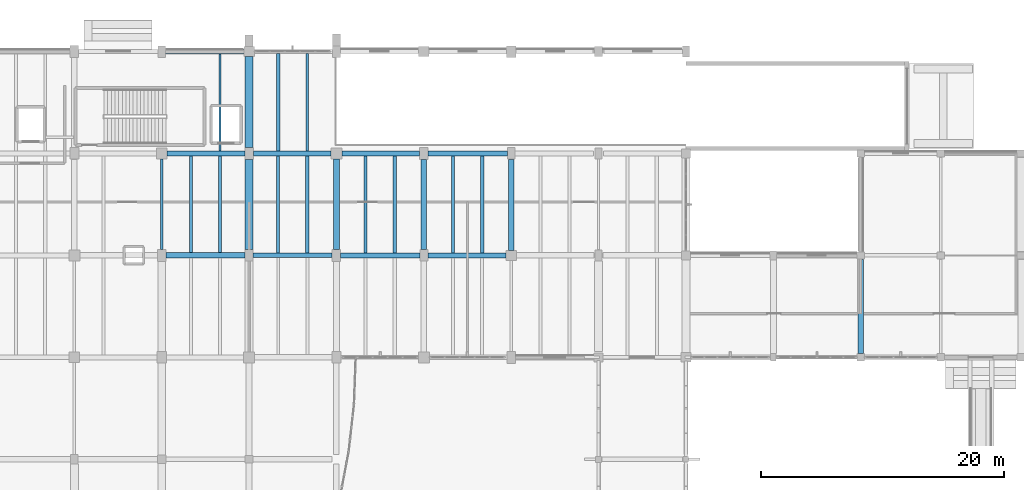
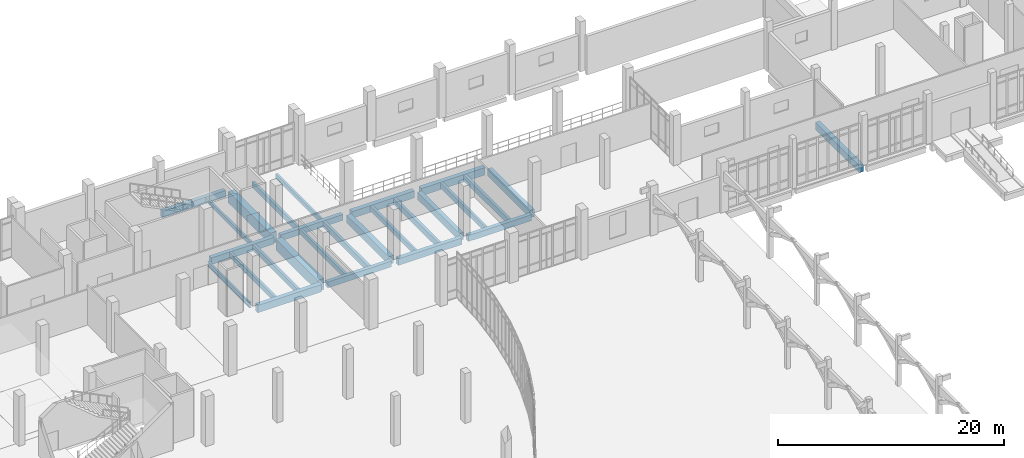
# One storey, part 55 of 110: 27 beams.
"""IFC4 building model written with IfcOpenShell, lengths in metres."""

from ifc_helpers import new_model, si_unit, direction, frame, origin, origin_2d, place, context, subcontext, project, spatial, rectangle, i_section, extrude, material, material_profile, profile_set, type_object, element, save


model = new_model("IFC4")

# Units and contexts
model_context = context("Model", 3, precision=1e-05, world=origin(), true_north=direction((0.0, 1.0)))
body_context = subcontext(model_context, "Body", "Model", "MODEL_VIEW")
ifc_project = project(units=[si_unit("LENGTHUNIT", "METRE"), si_unit("AREAUNIT", "SQUARE_METRE"), si_unit("VOLUMEUNIT", "CUBIC_METRE"), si_unit("PLANEANGLEUNIT", "RADIAN"), si_unit("MASSUNIT", "GRAM", prefix="KILO")], contexts=[model_context])

# Site, building, storey
site_placement = place(None, origin())
site = spatial("IfcSite", under=ifc_project, at=site_placement, CompositionType="ELEMENT")
building_placement = place(site_placement, origin())
building = spatial("IfcBuilding", under=site, at=building_placement, Name="Kalluvel Institute of Natural Sciences", CompositionType="ELEMENT")
storey_placement = place(building_placement, origin())
storey = spatial("IfcBuildingStorey", under=building, at=storey_placement, Name="L00", CompositionType="ELEMENT", Elevation=0.0)

# Beams
ifc_material_1 = material(Name="Steel E350 Grade 350", Category="steel")
ifc_material_profile_1 = material_profile(ifc_material_1, i_section(OverallWidth=0.18994140625, OverallDepth=0.550048828125, WebThickness=0.01123046875, FlangeThickness=0.019287109375, FilletRadius=0.01806640625, at=origin_2d()), Name="ISMB 550")
ifc_profile_set_1 = profile_set([ifc_material_profile_1], Name="Steel E350 Grade 350")
beam_type_1 = type_object("IfcBeamType", Name="BM-ISMB550", PredefinedType="BEAM", material=ifc_profile_set_1)
beam_1_placement = place(storey_placement, frame((71.60009765625, 111.699951171875, -0.594970703125), z_axis=(0.0, 1.0, 0.0), x_axis=(-1.0, 0.0, 0.0)))
element("IfcBeam", 1, at=beam_1_placement, inside=storey, type_object=beam_type_1, Name="L00 girder GIR-L00-NS-X716-Y1112", PredefinedType="BEAM", context=body_context, shape_type="SweptSolid", body=[
    extrude(i_section(OverallWidth=0.18994140625, OverallDepth=0.550048828125, WebThickness=0.01123046875, FlangeThickness=0.019287109375, FilletRadius=0.01806640625, at=origin_2d()), origin(), (0.0, 0.0, 1.0), 7.449951171875),
])
ifc_material_2 = material(Name="Concrete M40", Category="concrete")
ifc_material_profile_2 = material_profile(ifc_material_2, rectangle(XDim=0.3798828125, YDim=0.639892578125, at=origin_2d()), Name="RCB 380x640")
ifc_profile_set_2 = profile_set([ifc_material_profile_2], Name="Concrete M40")
beam_type_2 = type_object("IfcBeamType", Name="BM-RC380x640", PredefinedType="BEAM", material=ifc_profile_set_2)
beam_2_placement = place(storey_placement, frame((79.125, 111.199951171875, -0.639892578125), z_axis=(1.0, 0.0, 0.0), x_axis=(0.0, 1.0, 0.0)))
element("IfcBeam", 2, at=beam_2_placement, inside=storey, type_object=beam_type_2, Name="L00 girder GIR-L00-EW-X788-Y1112", PredefinedType="BEAM", context=body_context, shape_type="SweptSolid", body=[
    extrude(rectangle(XDim=0.3798828125, YDim=0.639892578125, at=origin_2d()), origin(), (0.0, 0.0, 1.0), 6.52490234375),
])
ifc_material_profile_3 = material_profile(ifc_material_2, rectangle(XDim=0.39990234375, YDim=0.64990234375, at=origin_2d()), Name="RCB 400x650")
ifc_profile_set_3 = profile_set([ifc_material_profile_3], Name="Concrete M40")
beam_type_3 = type_object("IfcBeamType", Name="BM-RC400x650", PredefinedType="BEAM", material=ifc_profile_set_3)
beam_3_placement = place(storey_placement, frame((93.52490234375, 111.199951171875, -0.64501953125), z_axis=(1.0, 0.0, 0.0), x_axis=(0.0, 1.0, 0.0)))
element("IfcBeam", 3, at=beam_3_placement, inside=storey, type_object=beam_type_3, Name="L00 girder GIR-L00-EW-X932-Y1112", PredefinedType="BEAM", context=body_context, shape_type="SweptSolid", body=[
    extrude(rectangle(XDim=0.39990234375, YDim=0.64990234375, at=origin_2d()), origin(), (0.0, 0.0, 1.0), 6.4501953125),
])
beam_4_placement = place(storey_placement, frame((79.14990234375, 119.60009765625, -0.64501953125), z_axis=(1.0, 0.0, 0.0), x_axis=(0.0, 1.0, 0.0)))
element("IfcBeam", 4, at=beam_4_placement, inside=storey, type_object=beam_type_3, Name="L00 girder GIR-L00-EW-X788-Y1196", PredefinedType="BEAM", context=body_context, shape_type="SweptSolid", body=[
    extrude(rectangle(XDim=0.39990234375, YDim=0.64990234375, at=origin_2d()), origin(), (0.0, 0.0, 1.0), 6.400146484375),
])
ifc_material_profile_4 = material_profile(ifc_material_2, rectangle(XDim=0.419921875, YDim=0.719970703125, at=origin_2d()), Name="RCB 420x720")
ifc_profile_set_4 = profile_set([ifc_material_profile_4], Name="Concrete M40")
beam_type_4 = type_object("IfcBeamType", Name="BM-RC420x720", PredefinedType="BEAM", material=ifc_profile_set_4)
beam_5_placement = place(storey_placement, frame((86.35009765625, 111.199951171875, -0.679931640625), z_axis=(1.0, 0.0, 0.0), x_axis=(0.0, 1.0, 0.0)))
element("IfcBeam", 5, at=beam_5_placement, inside=storey, type_object=beam_type_4, Name="L00 girder GIR-L00-EW-X860-Y1112", PredefinedType="BEAM", context=body_context, shape_type="SweptSolid", body=[
    extrude(rectangle(XDim=0.419921875, YDim=0.719970703125, at=origin_2d()), origin(), (0.0, 0.0, 1.0), 6.52490234375),
])
beam_6_placement = place(storey_placement, frame((72.050048828125, 119.60009765625, -0.679931640625), z_axis=(1.0, 0.0, 0.0), x_axis=(0.0, 1.0, 0.0)))
element("IfcBeam", 6, at=beam_6_placement, inside=storey, type_object=beam_type_4, Name="L00 girder GIR-L00-EW-X716-Y1196", PredefinedType="BEAM", context=body_context, shape_type="SweptSolid", body=[
    extrude(rectangle(XDim=0.419921875, YDim=0.719970703125, at=origin_2d()), origin(), (0.0, 0.0, 1.0), 6.39990234375),
])
ifc_material_profile_5 = material_profile(ifc_material_2, rectangle(XDim=0.449951171875, YDim=0.75, at=origin_2d()), Name="RCB 450x750")
ifc_profile_set_5 = profile_set([ifc_material_profile_5], Name="Concrete M40")
beam_type_5 = type_object("IfcBeamType", Name="BM-RC450x750", PredefinedType="BEAM", material=ifc_profile_set_5)
beam_7_placement = place(storey_placement, frame((86.449951171875, 119.60009765625, -0.695068359375), z_axis=(1.0, 0.0, 0.0), x_axis=(0.0, 1.0, 0.0)))
element("IfcBeam", 7, at=beam_7_placement, inside=storey, type_object=beam_type_5, Name="L00 girder GIR-L00-EW-X860-Y1196", PredefinedType="BEAM", context=body_context, shape_type="SweptSolid", body=[
    extrude(rectangle(XDim=0.449951171875, YDim=0.75, at=origin_2d()), origin(), (0.0, 0.0, 1.0), 6.400146484375),
])
ifc_material_profile_6 = material_profile(ifc_material_2, rectangle(XDim=0.449951171875, YDim=0.800048828125, at=origin_2d()), Name="RCB 450x800")
ifc_profile_set_6 = profile_set([ifc_material_profile_6], Name="Concrete M40")
beam_type_6 = type_object("IfcBeamType", Name="BM-RC450x800", PredefinedType="BEAM", material=ifc_profile_set_6)
beam_8_placement = place(storey_placement, frame((71.949951171875, 111.199951171875, -0.719970703125), z_axis=(1.0, 0.0, 0.0), x_axis=(0.0, 1.0, 0.0)))
element("IfcBeam", 8, at=beam_8_placement, inside=storey, type_object=beam_type_6, Name="L00 girder GIR-L00-EW-X716-Y1112", PredefinedType="BEAM", context=body_context, shape_type="SweptSolid", body=[
    extrude(rectangle(XDim=0.449951171875, YDim=0.800048828125, at=origin_2d()), origin(), (0.0, 0.0, 1.0), 6.525146484375),
])
beam_9_placement = place(storey_placement, frame((93.550048828125, 119.60009765625, -0.719970703125), z_axis=(1.0, 0.0, 0.0), x_axis=(0.0, 1.0, 0.0)))
element("IfcBeam", 9, at=beam_9_placement, inside=storey, type_object=beam_type_6, Name="L00 girder GIR-L00-EW-X932-Y1196", PredefinedType="BEAM", context=body_context, shape_type="SweptSolid", body=[
    extrude(rectangle(XDim=0.449951171875, YDim=0.800048828125, at=origin_2d()), origin(), (0.0, 0.0, 1.0), 6.52490234375),
])
beam_10_placement = place(storey_placement, frame((93.199951171875, 111.675048828125, -0.719970703125), z_axis=(0.0, 1.0, 0.0), x_axis=(-1.0, 0.0, 0.0)))
element("IfcBeam", 10, at=beam_10_placement, inside=storey, type_object=beam_type_6, Name="L00 girder GIR-L00-NS-X932-Y1112", PredefinedType="BEAM", context=body_context, shape_type="SweptSolid", body=[
    extrude(rectangle(XDim=0.449951171875, YDim=0.800048828125, at=origin_2d()), origin(), (0.0, 0.0, 1.0), 7.425048828125),
])
beam_11_placement = place(storey_placement, frame((100.39990234375, 111.625, -0.719970703125), z_axis=(0.0, 1.0, 0.0), x_axis=(-1.0, 0.0, 0.0)))
element("IfcBeam", 11, at=beam_11_placement, inside=storey, type_object=beam_type_6, Name="L00 girder GIR-L00-NS-X1004-Y1112", PredefinedType="BEAM", context=body_context, shape_type="SweptSolid", body=[
    extrude(rectangle(XDim=0.449951171875, YDim=0.800048828125, at=origin_2d()), origin(), (0.0, 0.0, 1.0), 7.5),
])
beam_12_placement = place(storey_placement, frame((129.199951171875, 103.125, -0.760009765625), z_axis=(0.0, 1.0, 0.0), x_axis=(-1.0, 0.0, 0.0)))
element("IfcBeam", 12, at=beam_12_placement, inside=storey, type_object=beam_type_6, Name="L00 girder GIR-L00-NS-X1292-Y1028", PredefinedType="BEAM", context=body_context, shape_type="SweptSolid", body=[
    extrude(rectangle(XDim=0.449951171875, YDim=0.800048828125, at=origin_2d()), origin(), (0.0, 0.0, 1.0), 7.75),
])
ifc_material_3 = material(Name="Concrete M50", Category="concrete")
ifc_material_profile_7 = material_profile(ifc_material_3, rectangle(XDim=0.5, YDim=0.85009765625, at=origin_2d()), Name="RCB 500x850")
ifc_profile_set_7 = profile_set([ifc_material_profile_7], Name="Concrete M50")
beam_type_7 = type_object("IfcBeamType", Name="BM-RC500x850", PredefinedType="BEAM", material=ifc_profile_set_7)
beam_13_placement = place(storey_placement, frame((86.0, 111.699951171875, -0.7451171875), z_axis=(0.0, 1.0, 0.0), x_axis=(-1.0, 0.0, 0.0)))
element("IfcBeam", 13, at=beam_13_placement, inside=storey, type_object=beam_type_7, Name="L00 girder GIR-L00-NS-X860-Y1112", PredefinedType="BEAM", context=body_context, shape_type="SweptSolid", body=[
    extrude(rectangle(XDim=0.5, YDim=0.85009765625, at=origin_2d()), origin(), (0.0, 0.0, 1.0), 7.449951171875),
])
ifc_material_profile_8 = material_profile(ifc_material_3, rectangle(XDim=0.64990234375, YDim=1.199951171875, at=origin_2d()), Name="RCB 650x1200")
ifc_profile_set_8 = profile_set([ifc_material_profile_8], Name="Concrete M50")
beam_type_8 = type_object("IfcBeamType", Name="BM-RC650x1200", PredefinedType="BEAM", material=ifc_profile_set_8)
beam_14_placement = place(storey_placement, frame((78.800048828125, 111.675048828125, -0.919921875), z_axis=(0.0, 1.0, 0.0), x_axis=(-1.0, 0.0, 0.0)))
element("IfcBeam", 14, at=beam_14_placement, inside=storey, type_object=beam_type_8, Name="L00 girder GIR-L00-NS-X788-Y1112", PredefinedType="BEAM", context=body_context, shape_type="SweptSolid", body=[
    extrude(rectangle(XDim=0.64990234375, YDim=1.199951171875, at=origin_2d()), origin(), (0.0, 0.0, 1.0), 7.425048828125),
])
beam_15_placement = place(storey_placement, frame((78.800048828125, 120.10009765625, -0.919921875), z_axis=(0.0, 1.0, 0.0), x_axis=(-1.0, 0.0, 0.0)))
element("IfcBeam", 15, at=beam_15_placement, inside=storey, type_object=beam_type_8, Name="L00 girder GIR-L00-NS-X788-Y1196", PredefinedType="BEAM", context=body_context, shape_type="SweptSolid", body=[
    extrude(rectangle(XDim=0.64990234375, YDim=1.199951171875, at=origin_2d()), origin(), (0.0, 0.0, 1.0), 7.474853515625),
])
ifc_material_profile_9 = material_profile(ifc_material_2, rectangle(XDim=0.39990234375, YDim=0.699951171875, at=origin_2d()), Name="RCB 400x700")
ifc_profile_set_9 = profile_set([ifc_material_profile_9], Name="Concrete M40")
beam_type_9 = type_object("IfcBeamType", Name="SP-RC400x700", PredefinedType="SPANDREL", material=ifc_profile_set_9)
beam_16_placement = place(storey_placement, frame((71.925048828125, 128.0, -0.669921875), z_axis=(1.0, 0.0, 0.0), x_axis=(0.0, 1.0, 0.0)))
element("IfcBeam", 16, at=beam_16_placement, inside=storey, type_object=beam_type_9, Name="L00 girder GIR-L00-EW-X716-Y1280", PredefinedType="SPANDREL", context=body_context, shape_type="SweptSolid", body=[
    extrude(rectangle(XDim=0.39990234375, YDim=0.699951171875, at=origin_2d()), origin(), (0.0, 0.0, 1.0), 6.449951171875),
])
ifc_material_profile_10 = material_profile(ifc_material_2, rectangle(XDim=0.199951171875, YDim=0.4599609375, at=origin_2d()), Name="WAF 200x460")
ifc_profile_set_10 = profile_set([ifc_material_profile_10], Name="Concrete M40")
beam_type_10 = type_object("IfcBeamType", Name="WJ-200x460", PredefinedType="JOIST", material=ifc_profile_set_10)
beam_17_placement = place(storey_placement, frame((76.39990234375, 119.81005859375, -0.550048828125), z_axis=(0.0, 1.0, 0.0), x_axis=(-1.0, 0.0, 0.0)))
element("IfcBeam", 17, at=beam_17_placement, inside=storey, type_object=beam_type_10, Name="L00 waffle joist RIB-L00-0045", PredefinedType="JOIST", context=body_context, shape_type="SweptSolid", body=[
    extrude(rectangle(XDim=0.199951171875, YDim=0.4599609375, at=origin_2d()), origin(), (0.0, 0.0, 1.0), 7.989990234375),
])
ifc_material_profile_11 = material_profile(ifc_material_2, rectangle(XDim=0.219970703125, YDim=0.5, at=origin_2d()), Name="WAF 220x500")
ifc_profile_set_11 = profile_set([ifc_material_profile_11], Name="Concrete M40")
beam_type_11 = type_object("IfcBeamType", Name="WJ-220x500", PredefinedType="JOIST", material=ifc_profile_set_11)
beam_18_placement = place(storey_placement, frame((83.60009765625, 119.800048828125, -0.570068359375), z_axis=(0.0, 1.0, 0.0), x_axis=(-1.0, 0.0, 0.0)))
element("IfcBeam", 18, at=beam_18_placement, inside=storey, type_object=beam_type_11, Name="L00 waffle joist RIB-L00-0051", PredefinedType="JOIST", context=body_context, shape_type="SweptSolid", body=[
    extrude(rectangle(XDim=0.219970703125, YDim=0.5, at=origin_2d()), origin(), (0.0, 0.0, 1.0), 8.050048828125),
])
ifc_material_profile_12 = material_profile(ifc_material_2, rectangle(XDim=0.25, YDim=0.550048828125, at=origin_2d()), Name="WAF 250x550")
ifc_profile_set_12 = profile_set([ifc_material_profile_12], Name="Concrete M40")
beam_type_12 = type_object("IfcBeamType", Name="WJ-250x550", PredefinedType="JOIST", material=ifc_profile_set_12)
beam_19_placement = place(storey_placement, frame((74.0, 111.425048828125, -0.594970703125), z_axis=(0.0, 1.0, 0.0), x_axis=(-1.0, 0.0, 0.0)))
element("IfcBeam", 19, at=beam_19_placement, inside=storey, type_object=beam_type_12, Name="L00 waffle joist RIB-L00-0043", PredefinedType="JOIST", context=body_context, shape_type="SweptSolid", body=[
    extrude(rectangle(XDim=0.25, YDim=0.550048828125, at=origin_2d()), origin(), (0.0, 0.0, 1.0), 7.96484375),
])
beam_20_placement = place(storey_placement, frame((81.199951171875, 111.389892578125, -0.594970703125), z_axis=(0.0, 1.0, 0.0), x_axis=(-1.0, 0.0, 0.0)))
element("IfcBeam", 20, at=beam_20_placement, inside=storey, type_object=beam_type_12, Name="L00 waffle joist RIB-L00-0048", PredefinedType="JOIST", context=body_context, shape_type="SweptSolid", body=[
    extrude(rectangle(XDim=0.25, YDim=0.550048828125, at=origin_2d()), origin(), (0.0, 0.0, 1.0), 8.010009765625),
])
beam_21_placement = place(storey_placement, frame((88.39990234375, 111.409912109375, -0.594970703125), z_axis=(0.0, 1.0, 0.0), x_axis=(-1.0, 0.0, 0.0)))
element("IfcBeam", 21, at=beam_21_placement, inside=storey, type_object=beam_type_12, Name="L00 waffle joist RIB-L00-0054", PredefinedType="JOIST", context=body_context, shape_type="SweptSolid", body=[
    extrude(rectangle(XDim=0.25, YDim=0.550048828125, at=origin_2d()), origin(), (0.0, 0.0, 1.0), 7.965087890625),
])
ifc_material_profile_13 = material_profile(ifc_material_2, rectangle(XDim=0.25, YDim=0.60009765625, at=origin_2d()), Name="WAF 250x600")
ifc_profile_set_13 = profile_set([ifc_material_profile_13], Name="Concrete M40")
beam_type_13 = type_object("IfcBeamType", Name="WJ-250x600", PredefinedType="JOIST", material=ifc_profile_set_13)
beam_22_placement = place(storey_placement, frame((95.60009765625, 111.39990234375, -0.6201171875), z_axis=(0.0, 1.0, 0.0), x_axis=(-1.0, 0.0, 0.0)))
element("IfcBeam", 22, at=beam_22_placement, inside=storey, type_object=beam_type_13, Name="L00 waffle joist RIB-L00-0058", PredefinedType="JOIST", context=body_context, shape_type="SweptSolid", body=[
    extrude(rectangle(XDim=0.25, YDim=0.60009765625, at=origin_2d()), origin(), (0.0, 0.0, 1.0), 7.97509765625),
])
ifc_material_profile_14 = material_profile(ifc_material_3, rectangle(XDim=0.260009765625, YDim=0.6201171875, at=origin_2d()), Name="WAF 260x620")
ifc_profile_set_14 = profile_set([ifc_material_profile_14], Name="Concrete M50")
beam_type_14 = type_object("IfcBeamType", Name="WJ-260x620", PredefinedType="JOIST", material=ifc_profile_set_14)
beam_23_placement = place(storey_placement, frame((76.39990234375, 111.425048828125, -0.6298828125), z_axis=(0.0, 1.0, 0.0), x_axis=(-1.0, 0.0, 0.0)))
element("IfcBeam", 23, at=beam_23_placement, inside=storey, type_object=beam_type_14, Name="L00 waffle joist RIB-L00-0044", PredefinedType="JOIST", context=body_context, shape_type="SweptSolid", body=[
    extrude(rectangle(XDim=0.260009765625, YDim=0.6201171875, at=origin_2d()), origin(), (0.0, 0.0, 1.0), 7.96484375),
])
beam_24_placement = place(storey_placement, frame((81.199951171875, 119.800048828125, -0.6298828125), z_axis=(0.0, 1.0, 0.0), x_axis=(-1.0, 0.0, 0.0)))
element("IfcBeam", 24, at=beam_24_placement, inside=storey, type_object=beam_type_14, Name="L00 waffle joist RIB-L00-0050", PredefinedType="JOIST", context=body_context, shape_type="SweptSolid", body=[
    extrude(rectangle(XDim=0.260009765625, YDim=0.6201171875, at=origin_2d()), origin(), (0.0, 0.0, 1.0), 8.050048828125),
])
ifc_material_profile_15 = material_profile(ifc_material_3, rectangle(XDim=0.280029296875, YDim=0.64990234375, at=origin_2d()), Name="WAF 280x650")
ifc_profile_set_15 = profile_set([ifc_material_profile_15], Name="Concrete M50")
beam_type_15 = type_object("IfcBeamType", Name="WJ-280x650", PredefinedType="JOIST", material=ifc_profile_set_15)
beam_25_placement = place(storey_placement, frame((83.60009765625, 111.389892578125, -0.64501953125), z_axis=(0.0, 1.0, 0.0), x_axis=(-1.0, 0.0, 0.0)))
element("IfcBeam", 25, at=beam_25_placement, inside=storey, type_object=beam_type_15, Name="L00 waffle joist RIB-L00-0049", PredefinedType="JOIST", context=body_context, shape_type="SweptSolid", body=[
    extrude(rectangle(XDim=0.280029296875, YDim=0.64990234375, at=origin_2d()), origin(), (0.0, 0.0, 1.0), 8.010009765625),
])
beam_26_placement = place(storey_placement, frame((90.800048828125, 111.409912109375, -0.64501953125), z_axis=(0.0, 1.0, 0.0), x_axis=(-1.0, 0.0, 0.0)))
element("IfcBeam", 26, at=beam_26_placement, inside=storey, type_object=beam_type_15, Name="L00 waffle joist RIB-L00-0055", PredefinedType="JOIST", context=body_context, shape_type="SweptSolid", body=[
    extrude(rectangle(XDim=0.280029296875, YDim=0.64990234375, at=origin_2d()), origin(), (0.0, 0.0, 1.0), 7.965087890625),
])
beam_27_placement = place(storey_placement, frame((98.0, 111.39990234375, -0.64501953125), z_axis=(0.0, 1.0, 0.0), x_axis=(-1.0, 0.0, 0.0)))
element("IfcBeam", 27, at=beam_27_placement, inside=storey, type_object=beam_type_15, Name="L00 waffle joist RIB-L00-0059", PredefinedType="JOIST", context=body_context, shape_type="SweptSolid", body=[
    extrude(rectangle(XDim=0.280029296875, YDim=0.64990234375, at=origin_2d()), origin(), (0.0, 0.0, 1.0), 7.97509765625),
])

save(model, "model.ifc")
